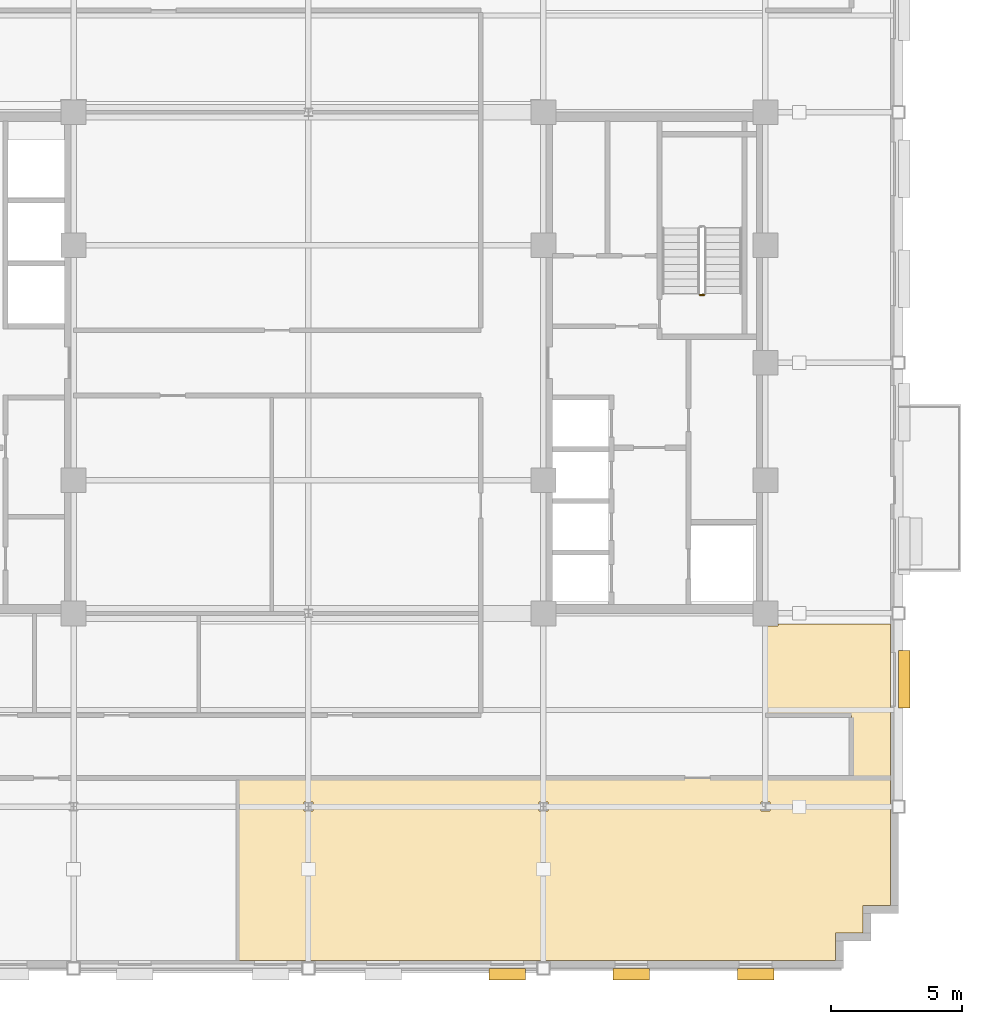
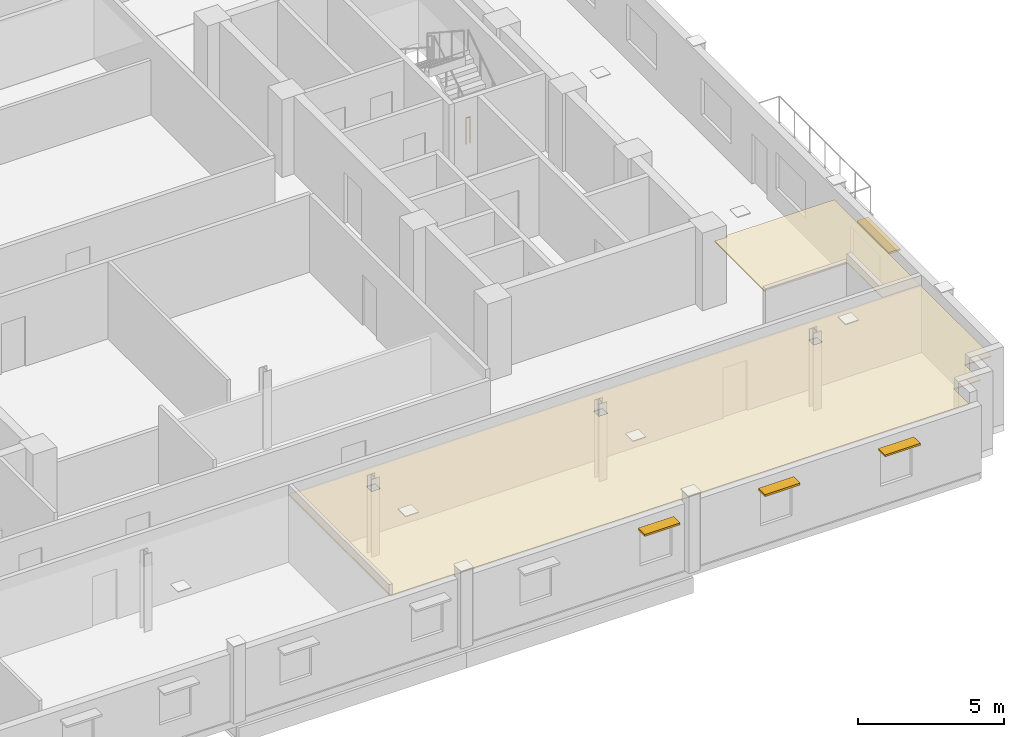
# One storey, part 13 of 15: 4 shading devices, 2 coverings, 1 railing.
"""IFC4 building model written with IfcOpenShell, lengths in metres."""

from ifc_helpers import new_model, si_unit, direction, frame, origin, origin_2d, place, context, subcontext, project, spatial, polyline, rectangle, circle, outline, extrude, source, transform, mapped, material, layer, layer_set, type_object, type_shapes, element, save


model = new_model("IFC4")

# Units and contexts
model_context = context("Model", 3, precision=1e-05, world=origin(), true_north=direction((0.0, 1.0)))
body_context = subcontext(model_context, "Body", "Model", "MODEL_VIEW")
ifc_project = project(units=[si_unit("LENGTHUNIT", "METRE"), si_unit("AREAUNIT", "SQUARE_METRE"), si_unit("VOLUMEUNIT", "CUBIC_METRE"), si_unit("PLANEANGLEUNIT", "RADIAN"), si_unit("MASSUNIT", "GRAM", prefix="KILO")], contexts=[model_context])

# Site, building, storey
site_placement = place(None, origin())
site = spatial("IfcSite", under=ifc_project, at=site_placement, CompositionType="ELEMENT")
building_placement = place(site_placement, origin())
building = spatial("IfcBuilding", under=site, at=building_placement, Name="Nuvemarco Arch Tower", CompositionType="ELEMENT")
storey_placement = place(building_placement, frame((0.0, 0.0, 205.5)))
storey = spatial("IfcBuildingStorey", under=building, at=storey_placement, Name="L54", CompositionType="ELEMENT", Elevation=205.5)

# Coverings
ifc_material_1 = material(Name="Mineral acoustic ceiling tile")
ifc_layer = layer(ifc_material_1, 0.0400390625, Name="COV-ACOUSTIC-CLG")
ifc_layer_set = layer_set([ifc_layer], Name="Mineral acoustic ceiling tile")
covering_type = type_object("IfcCoveringType", Name="COV-ACOUSTIC-CLG", PredefinedType="CEILING", material=ifc_layer_set)
covering_1_placement = place(storey_placement, frame((0.0, 0.0, 2.72998046875)))
element("IfcCovering", 1, at=covering_1_placement, inside=storey, type_object=covering_type, Name="L54 suspended acoustic ceiling 1", PredefinedType="CEILING", context=body_context, shape_type="SweptSolid", body=[
    extrude(outline(polyline([(20.18994140625, -22.889892578125), (-2.7099609375, -22.889892578125), (-2.7099609375, -15.89990234375), (6.60009765625, -15.89990234375), (9.0, -15.89990234375), (20.800048828125, -15.89990234375), (22.2900390625, -15.89990234375), (22.2900390625, -20.7900390625), (21.239990234375, -20.7900390625), (21.239990234375, -21.840087890625), (20.18994140625, -21.840087890625), (20.18994140625, -22.889892578125)]), holes=[polyline([(0.169921875, -17.169921875), (0.169921875, -16.830078125), (-0.169921875, -16.830078125), (-0.169921875, -17.169921875), (0.169921875, -17.169921875)]), polyline([(9.169921875, -17.169921875), (9.169921875, -16.830078125), (8.830078125, -16.830078125), (8.830078125, -17.169921875), (9.169921875, -17.169921875)]), polyline([(17.669921875, -17.169921875), (17.669921875, -16.830078125), (17.330078125, -16.830078125), (17.330078125, -17.169921875), (17.669921875, -17.169921875)])]), origin(), (0.0, 0.0, 1.0), 0.0400390625),
])
covering_2_placement = place(storey_placement, frame((0.0, 0.0, 2.72998046875)))
element("IfcCovering", 2, at=covering_2_placement, inside=storey, type_object=covering_type, Name="L54 suspended acoustic ceiling 2", PredefinedType="CEILING", context=body_context, shape_type="SweptSolid", body=[
    extrude(outline(polyline([(17.5, -10.090087890625), (17.989990234375, -10.090087890625), (17.989990234375, -10.0), (22.2900390625, -10.0), (22.2900390625, -15.89990234375), (20.800048828125, -15.89990234375), (20.800048828125, -13.5), (17.5, -13.5), (17.5, -10.090087890625)])), origin(), (0.0, 0.0, 1.0), 0.0400390625),
])

# Railing
ifc_material_2 = material(Name="Painted balustrade steel S355", Category="steel")
railing_type = type_object("IfcRailingType", Name="RL-STAIR-GUARD", PredefinedType="GUARDRAIL", material=ifc_material_2)
railing_placement = place(storey_placement, frame((15.14990234375, 2.60009765625, 0.0)))
element("IfcRailing", 3, at=railing_placement, inside=storey, type_object=railing_type, Name="L54 ST-2 stair guard 4", PredefinedType="GUARDRAIL", context=body_context, shape_type="SweptSolid", body=[
    extrude(circle(Radius=0.02392578125, at=origin_2d()), frame((0.0, 0.0, 1.09619140625), z_axis=(-1.0, 0.0, 0.0), x_axis=(0.0, -1.0, 0.0)), (0.0, 0.0, 1.0), 0.159912109375),
    extrude(circle(Radius=0.02099609375, at=origin_2d()), origin(), (0.0, 0.0, 1.0), 1.072021484375),
    extrude(circle(Radius=0.02099609375, at=origin_2d()), frame((-0.159912109375, 0.0, 0.0)), (0.0, 0.0, 1.0), 1.072021484375),
])

# Shading devices
ifc_material_3 = material(Name="Anodised aluminium 6063-T6", Category="aluminium")
shading_device_type_1 = type_object("IfcShadingDeviceType", Name="SHD-BRISE-SOLEIL", PredefinedType="USERDEFINED", material=ifc_material_3)
shared_shape_1 = source(origin(), body_context, "Body", "SweptSolid", [
    extrude(rectangle(XDim=2.199951171875, YDim=0.449951171875, at=origin_2d()), origin(), (0.0, 0.0, 1.0), 0.080078125),
])
type_shapes(shading_device_type_1, [shared_shape_1])
shading_device_placement = place(storey_placement, frame((22.81494140625, -12.125, 2.324951171875), z_axis=(0.0, 0.0, 1.0), x_axis=(0.0, 1.0, 0.0)))
element("IfcShadingDevice", 4, at=shading_device_placement, inside=storey, type_object=shading_device_type_1, Name="L54 horizontal brise-soleil sunshade", ObjectType="SUNSHADE", PredefinedType="USERDEFINED", context=body_context, shape_type="MappedRepresentation", body=[
    mapped(shared_shape_1, transform((0.0, 0.0, 0.0), scale=1.0)),
])
shading_device_type_2 = type_object("IfcShadingDeviceType", Name="SHD-BRISE-NARROW", PredefinedType="USERDEFINED", material=ifc_material_3)
shared_shape_2 = source(origin(), body_context, "Body", "SweptSolid", [
    extrude(rectangle(XDim=1.39990234375, YDim=0.449951171875, at=origin_2d()), origin(), (0.0, 0.0, 1.0), 0.080078125),
])
type_shapes(shading_device_type_2, [shared_shape_2])
for number, where, z_axis, x_axis, name in (
    (5, (7.611083984375, -23.4150390625, 2.324951171875), (0.0, 0.0, 1.0), (1.0, 0.0, 0.0), "L54 horizontal brise-soleil sunshade"),
    (6, (12.36669921875, -23.4150390625, 2.324951171875), (0.0, 0.0, 1.0), (1.0, 0.0, 0.0), "L54 horizontal brise-soleil sunshade"),
    (7, (17.122314453125, -23.4150390625, 2.324951171875), (0.0, 0.0, 1.0), (1.0, 0.0, 0.0), "L54 horizontal brise-soleil sunshade"),
):
    element("IfcShadingDevice", number, at=place(storey_placement, frame(where, z_axis=z_axis, x_axis=x_axis)), inside=storey, type_object=shading_device_type_2, Name=name, ObjectType="SUNSHADE", PredefinedType="USERDEFINED", context=body_context, shape_type="MappedRepresentation", body=[
        mapped(shared_shape_2, transform((0.0, 0.0, 0.0), scale=1.0)),
    ])

save(model, "model.ifc")
